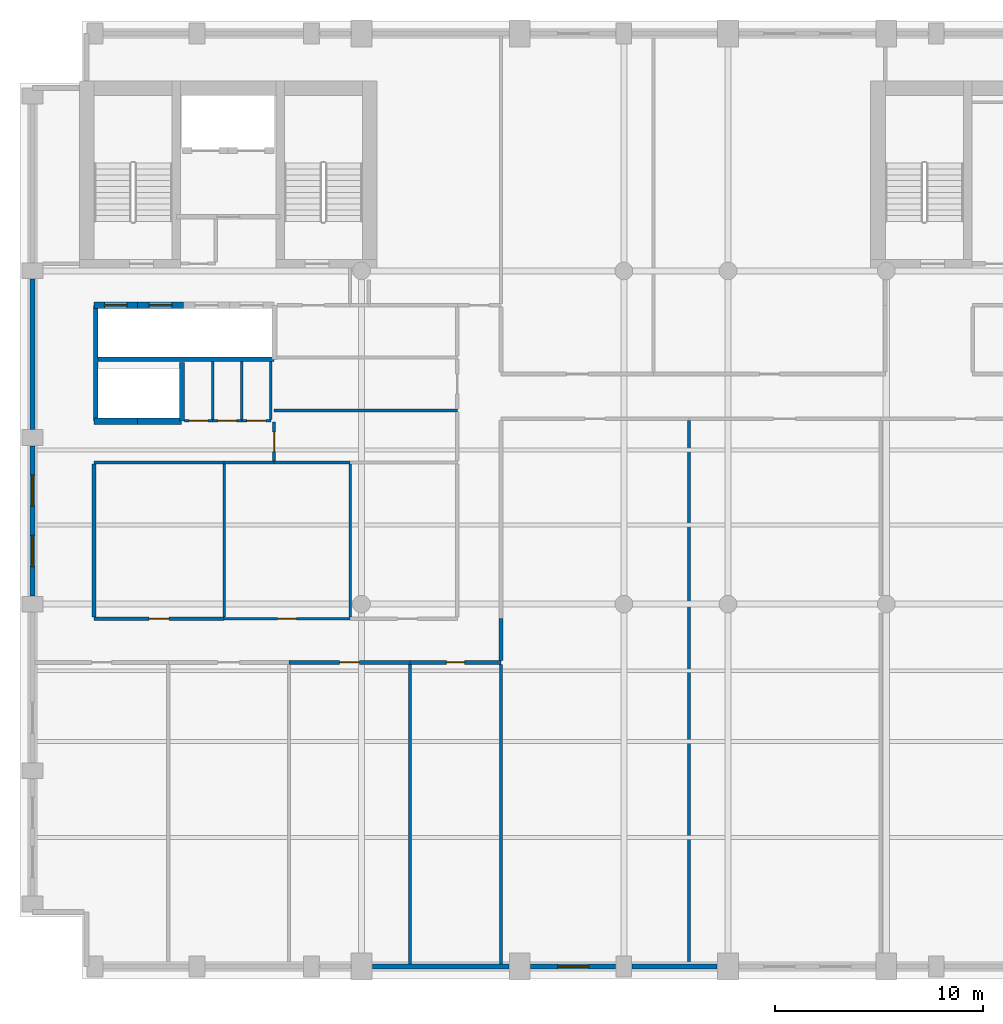
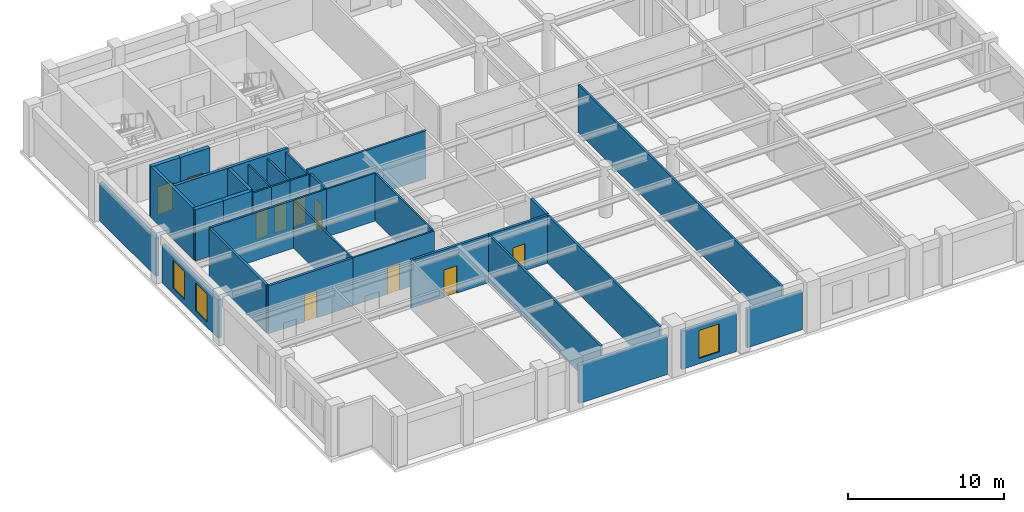
# One storey, part 3 of 8: 34 walls, 10 doors, 3 windows, 13 openings.
"""IFC4 building model written with IfcOpenShell, lengths in metres."""

from ifc_helpers import new_model, si_unit, direction, frame, frame_2d, origin, place, context, subcontext, project, spatial, rectangle, extrude, material, layer, layer_set, type_object, element, fill, save


model = new_model("IFC4")

# Units and contexts
model_context = context("Model", 3, precision=1e-05, world=origin(), true_north=direction((0.0, 1.0)))
body_context = subcontext(model_context, "Body", "Model", "MODEL_VIEW")
ifc_project = project(units=[si_unit("LENGTHUNIT", "METRE"), si_unit("AREAUNIT", "SQUARE_METRE"), si_unit("VOLUMEUNIT", "CUBIC_METRE"), si_unit("PLANEANGLEUNIT", "RADIAN"), si_unit("MASSUNIT", "GRAM", prefix="KILO")], contexts=[model_context])

# Site, building, storey
site_placement = place(None, origin())
site = spatial("IfcSite", under=ifc_project, at=site_placement, CompositionType="ELEMENT")
building_placement = place(site_placement, origin())
building = spatial("IfcBuilding", under=site, at=building_placement, Name="Sulina Concourse Tower", CompositionType="ELEMENT")
storey_placement = place(building_placement, frame((0.0, 0.0, 252.60009765625)))
storey = spatial("IfcBuildingStorey", under=building, at=storey_placement, Name="L61", CompositionType="ELEMENT", Elevation=252.60009765625)

# Walls
ifc_material_1 = material(Name="Concrete C50/60", Category="concrete")
ifc_layer_1 = layer(ifc_material_1, 0.219970703125)
ifc_layer_set_1 = layer_set([ifc_layer_1], Name="Concrete C50/60")
wall_type_1 = type_object("IfcWallType", Name="Core Lift Hoistway Divider Wall 220mm", PredefinedType="SOLIDWALL", material=ifc_layer_set_1)
wall_1_placement = place(storey_placement, frame((3.550048828125, 29.75, 0.0), z_axis=(0.0, 0.0, 1.0), x_axis=(1.0, 0.0, 0.0)))
element("IfcWall", 1, at=wall_1_placement, inside=storey, type_object=wall_type_1, Name="L61 shaft divider wall HW-LP3-S", PredefinedType="SOLIDWALL", context=body_context, shape_type="SweptSolid", body=[
    extrude(rectangle(XDim=8.64990234375, YDim=0.219970703125, at=frame_2d((4.324951171875, 0.0))), origin(), (0.0, 0.0, 1.0), 4.0),
])
wall_2_placement = place(storey_placement, frame((3.6298828125, 26.800048828125, 0.0), z_axis=(0.0, 0.0, 1.0), x_axis=(0.0, 1.0, 0.0)))
element("IfcWall", 2, at=wall_2_placement, inside=storey, type_object=wall_type_1, Name="L61 shaft divider wall HW-LP3-W", PredefinedType="SOLIDWALL", context=body_context, shape_type="SweptSolid", body=[
    extrude(rectangle(XDim=5.550048828125, YDim=0.219970703125, at=frame_2d((2.77490234375, 0.0))), origin(), (0.0, 0.0, 1.0), 4.0),
])
wall_3_placement = place(storey_placement, frame((7.780029296875, 26.800048828125, 0.0), z_axis=(0.0, 0.0, 1.0), x_axis=(0.0, 1.0, 0.0)))
element("IfcWall", 3, at=wall_3_placement, inside=storey, type_object=wall_type_1, Name="L61 shaft divider wall HW-EXP-E", PredefinedType="SOLIDWALL", context=body_context, shape_type="SweptSolid", body=[
    extrude(rectangle(XDim=2.800048828125, YDim=0.219970703125, at=frame_2d((1.39990234375, 0.0))), origin(), (0.0, 0.0, 1.0), 4.0),
])

# Wall, opening, door
ifc_material_2 = material(Name="Concrete C50/60", Category="concrete")
ifc_layer_2 = layer(ifc_material_2, 0.300048828125)
ifc_layer_set_2 = layer_set([ifc_layer_2], Name="Concrete C50/60")
wall_type_2 = type_object("IfcWallType", Name="Core Lift Hoistway Wall 300mm", PredefinedType="SOLIDWALL", material=ifc_layer_set_2)
wall_4_placement = place(storey_placement, frame((3.550048828125, 32.35009765625, 0.0), z_axis=(0.0, 0.0, 1.0), x_axis=(1.0, 0.0, 0.0)))
wall_4 = element("IfcWall", 4, at=wall_4_placement, inside=storey, type_object=wall_type_2, Name="L61 hoistway enclosure wall LP-09", PredefinedType="SOLIDWALL", context=body_context, shape_type="SweptSolid", body=[
    extrude(rectangle(XDim=2.099853515625, YDim=0.300048828125, at=frame_2d((1.0498046875, 0.0))), origin(), (0.0, 0.0, 1.0), 4.0),
])
opening_1_placement = place(wall_4_placement, frame((0.5, 0.0, 0.0)))
opening_1 = element("IfcOpeningElement", 5, at=opening_1_placement, cuts=wall_4, Name="Opening LD-01", PredefinedType="OPENING", context=body_context, shape_type="SweptSolid", body=[
    extrude(rectangle(XDim=1.10009765625, YDim=2.199951171875, at=frame_2d((0.550048828125, 1.10009765625))), frame((0.0, 0.159912109375, 0.0), z_axis=(0.0, -1.0, 0.0), x_axis=(1.0, 0.0, 0.0)), (0.0, 0.0, 1.0), 0.320068359375),
])
ifc_material_3 = material(Name="Stainless steel lift landing door", Category="steel")
ifc_layer_3 = layer(ifc_material_3, 0.050048828125)
ifc_layer_set_3 = layer_set([ifc_layer_3], Name="Stainless steel lift landing door")
door_type_1 = type_object("IfcDoorType", Name="Passenger Lift Sliding Landing Door 1100x2200", OperationType="SLIDING_TO_LEFT", PredefinedType="DOOR", material=ifc_layer_set_3)
door_1_placement = place(opening_1_placement, origin())
door_1 = element("IfcDoor", 6, at=door_1_placement, inside=storey, type_object=door_type_1, Name="L61 lift landing sliding door LP-09", OperationType="SLIDING_TO_LEFT", OverallHeight=2.199951171875, OverallWidth=1.10009765625, PredefinedType="DOOR", context=body_context, shape_type="SweptSolid", body=[
    extrude(rectangle(XDim=1.10009765625, YDim=2.199951171875, at=frame_2d((0.550048828125, 1.10009765625))), frame((0.0, 0.02490234375, 0.0), z_axis=(0.0, -1.0, 0.0), x_axis=(1.0, 0.0, 0.0)), (0.0, 0.0, 1.0), 0.050048828125),
])
fill(opening_1, door_1)

wall_5_placement = place(storey_placement, frame((5.64990234375, 32.35009765625, 0.0), z_axis=(0.0, 0.0, 1.0), x_axis=(1.0, 0.0, 0.0)))
wall_5 = element("IfcWall", 7, at=wall_5_placement, inside=storey, type_object=wall_type_2, Name="L61 hoistway enclosure wall LP-10", PredefinedType="SOLIDWALL", context=body_context, shape_type="SweptSolid", body=[
    extrude(rectangle(XDim=2.2001953125, YDim=0.300048828125, at=frame_2d((1.10009765625, 0.0))), origin(), (0.0, 0.0, 1.0), 4.0),
])
opening_2_placement = place(wall_5_placement, frame((0.550048828125, 0.0, 0.0)))
opening_2 = element("IfcOpeningElement", 8, at=opening_2_placement, cuts=wall_5, Name="Opening LD-01", PredefinedType="OPENING", context=body_context, shape_type="SweptSolid", body=[
    extrude(rectangle(XDim=1.10009765625, YDim=2.199951171875, at=frame_2d((0.550048828125, 1.10009765625))), frame((0.0, 0.159912109375, 0.0), z_axis=(0.0, -1.0, 0.0), x_axis=(1.0, 0.0, 0.0)), (0.0, 0.0, 1.0), 0.320068359375),
])
door_2_placement = place(opening_2_placement, origin())
door_2 = element("IfcDoor", 9, at=door_2_placement, inside=storey, type_object=door_type_1, Name="L61 lift landing sliding door LP-10", OperationType="SLIDING_TO_RIGHT", OverallHeight=2.199951171875, OverallWidth=1.10009765625, PredefinedType="DOOR", context=body_context, shape_type="SweptSolid", body=[
    extrude(rectangle(XDim=1.10009765625, YDim=2.199951171875, at=frame_2d((0.550048828125, 1.10009765625))), frame((0.0, 0.02490234375, 0.0), z_axis=(0.0, -1.0, 0.0), x_axis=(1.0, 0.0, 0.0)), (0.0, 0.0, 1.0), 0.050048828125),
])
fill(opening_2, door_2)

# Walls
wall_6_placement = place(storey_placement, frame((5.64990234375, 26.780029296875, 0.0), z_axis=(0.0, 0.0, 1.0), x_axis=(-1.0, 0.0, 0.0)))
element("IfcWall", 10, at=wall_6_placement, inside=storey, type_object=wall_type_2, Name="L61 hoistway enclosure wall EXP-1", PredefinedType="SOLIDWALL", context=body_context, shape_type="SweptSolid", body=[
    extrude(rectangle(XDim=2.099853515625, YDim=0.300048828125, at=frame_2d((1.0498046875, 0.0))), origin(), (0.0, 0.0, 1.0), 4.0),
])
wall_7_placement = place(storey_placement, frame((7.75, 26.780029296875, 0.0), z_axis=(0.0, 0.0, 1.0), x_axis=(-1.0, 0.0, 0.0)))
element("IfcWall", 11, at=wall_7_placement, inside=storey, type_object=wall_type_2, Name="L61 hoistway enclosure wall EXP-2", PredefinedType="SOLIDWALL", context=body_context, shape_type="SweptSolid", body=[
    extrude(rectangle(XDim=2.10009765625, YDim=0.300048828125, at=frame_2d((1.050048828125, 0.0))), origin(), (0.0, 0.0, 1.0), 4.0),
])
ifc_material_4 = material(Name="Precast concrete C50/60", Category="concrete")
ifc_layer_4 = layer(ifc_material_4, 0.239990234375)
ifc_layer_set_4 = layer_set([ifc_layer_4], Name="Precast concrete C50/60")
wall_type_3 = type_object("IfcWallType", Name="Crown Precast Masonry-Frame Facade Wall 240mm", PredefinedType="SOLIDWALL", material=ifc_layer_set_4)
wall_8_placement = place(storey_placement, frame((23.47998046875, 0.60009765625, 0.0), z_axis=(0.0, 0.0, 1.0), x_axis=(-1.0, 0.0, 0.0)))
element("IfcWall", 12, at=wall_8_placement, inside=storey, type_object=wall_type_3, Name="L61 exterior precast wall S4", PredefinedType="SOLIDWALL", context=body_context, shape_type="SweptSolid", body=[
    extrude(rectangle(XDim=6.56005859375, YDim=0.239990234375, at=frame_2d((3.280029296875, 0.0))), origin(), (0.0, 0.0, 1.0), 3.0),
])

# Wall, opening, window
wall_9_placement = place(storey_placement, frame((28.60498046875, 0.60009765625, 0.0), z_axis=(0.0, 0.0, 1.0), x_axis=(-1.0, 0.0, 0.0)))
wall_9 = element("IfcWall", 13, at=wall_9_placement, inside=storey, type_object=wall_type_3, Name="L61 exterior precast wall S5", PredefinedType="SOLIDWALL", context=body_context, shape_type="SweptSolid", body=[
    extrude(rectangle(XDim=4.0849609375, YDim=0.239990234375, at=frame_2d((2.04248046875, 0.0))), origin(), (0.0, 0.0, 1.0), 3.0),
])
opening_3_placement = place(wall_9_placement, frame((1.29248046875, 0.0, 0.419921875)))
opening_3 = element("IfcOpeningElement", 14, at=opening_3_placement, cuts=wall_9, Name="Opening WN-71", PredefinedType="OPENING", context=body_context, shape_type="SweptSolid", body=[
    extrude(rectangle(XDim=1.5, YDim=2.199951171875, at=frame_2d((0.75, 1.10009765625))), frame((0.0, 0.1298828125, 0.0), z_axis=(0.0, -1.0, 0.0), x_axis=(1.0, 0.0, 0.0)), (0.0, 0.0, 1.0), 0.260009765625),
])
ifc_material_5 = material(Name="Low-E solar double glazing in bronze aluminium", Category="aluminium")
window_type = type_object("IfcWindowType", Name="Punched Masonry-Frame Window 1500x2200", PartitioningType="SINGLE_PANEL", PredefinedType="WINDOW", material=ifc_material_5)
window_1_placement = place(opening_3_placement, origin())
window_1 = element("IfcWindow", 15, at=window_1_placement, inside=storey, type_object=window_type, Name="L61 punched window S5-1", OverallHeight=2.199951171875, OverallWidth=1.5, PartitioningType="SINGLE_PANEL", PredefinedType="WINDOW", context=body_context, shape_type="SweptSolid", body=[
    extrude(rectangle(XDim=1.5, YDim=2.199951171875, at=frame_2d((0.75, 1.10009765625))), frame((0.0, 0.030029296875, 0.0), z_axis=(0.0, -1.0, 0.0), x_axis=(1.0, 0.0, 0.0)), (0.0, 0.0, 1.0), 0.06005859375),
])
fill(opening_3, window_1)

# Wall
wall_10_placement = place(storey_placement, frame((33.47998046875, 0.60009765625, 0.0), z_axis=(0.0, 0.0, 1.0), x_axis=(-1.0, 0.0, 0.0)))
element("IfcWall", 16, at=wall_10_placement, inside=storey, type_object=wall_type_3, Name="L61 exterior precast wall S6", PredefinedType="SOLIDWALL", context=body_context, shape_type="SweptSolid", body=[
    extrude(rectangle(XDim=4.0849609375, YDim=0.239990234375, at=frame_2d((2.04248046875, 0.0))), origin(), (0.0, 0.0, 1.0), 3.0),
])

# Wall, openings, windows
wall_11_placement = place(storey_placement, frame((0.60009765625, 18.39501953125, 0.0), z_axis=(0.0, 0.0, 1.0), x_axis=(0.0, 1.0, 0.0)))
wall_11 = element("IfcWall", 17, at=wall_11_placement, inside=storey, type_object=wall_type_3, Name="L61 exterior precast wall W3", PredefinedType="SOLIDWALL", context=body_context, shape_type="SweptSolid", body=[
    extrude(rectangle(XDim=7.2099609375, YDim=0.239990234375, at=frame_2d((3.60498046875, 0.0))), origin(), (0.0, 0.0, 1.0), 3.0),
])
opening_4_placement = place(wall_11_placement, frame((1.4033203125, 0.0, 0.419921875)))
opening_4 = element("IfcOpeningElement", 18, at=opening_4_placement, cuts=wall_11, Name="Opening WN-71", PredefinedType="OPENING", context=body_context, shape_type="SweptSolid", body=[
    extrude(rectangle(XDim=1.5, YDim=2.199951171875, at=frame_2d((0.75, 1.10009765625))), frame((0.0, 0.1298828125, 0.0), z_axis=(0.0, -1.0, 0.0), x_axis=(1.0, 0.0, 0.0)), (0.0, 0.0, 1.0), 0.260009765625),
])
opening_5_placement = place(wall_11_placement, frame((4.306640625, 0.0, 0.419921875)))
opening_5 = element("IfcOpeningElement", 19, at=opening_5_placement, cuts=wall_11, Name="Opening WN-71", PredefinedType="OPENING", context=body_context, shape_type="SweptSolid", body=[
    extrude(rectangle(XDim=1.5, YDim=2.199951171875, at=frame_2d((0.75, 1.10009765625))), frame((0.0, 0.1298828125, 0.0), z_axis=(0.0, -1.0, 0.0), x_axis=(1.0, 0.0, 0.0)), (0.0, 0.0, 1.0), 0.260009765625),
])
window_2_placement = place(opening_4_placement, origin())
window_2 = element("IfcWindow", 20, at=window_2_placement, inside=storey, type_object=window_type, Name="L61 punched window W3-1", OverallHeight=2.199951171875, OverallWidth=1.5, PartitioningType="SINGLE_PANEL", PredefinedType="WINDOW", context=body_context, shape_type="SweptSolid", body=[
    extrude(rectangle(XDim=1.5, YDim=2.199951171875, at=frame_2d((0.75, 1.10009765625))), frame((0.0, 0.030029296875, 0.0), z_axis=(0.0, -1.0, 0.0), x_axis=(1.0, 0.0, 0.0)), (0.0, 0.0, 1.0), 0.06005859375),
])
fill(opening_4, window_2)
window_3_placement = place(opening_5_placement, origin())
window_3 = element("IfcWindow", 21, at=window_3_placement, inside=storey, type_object=window_type, Name="L61 punched window W3-2", OverallHeight=2.199951171875, OverallWidth=1.5, PartitioningType="SINGLE_PANEL", PredefinedType="WINDOW", context=body_context, shape_type="SweptSolid", body=[
    extrude(rectangle(XDim=1.5, YDim=2.199951171875, at=frame_2d((0.75, 1.10009765625))), frame((0.0, 0.030029296875, 0.0), z_axis=(0.0, -1.0, 0.0), x_axis=(1.0, 0.0, 0.0)), (0.0, 0.0, 1.0), 0.06005859375),
])
fill(opening_5, window_3)

# Walls
wall_12_placement = place(storey_placement, frame((0.60009765625, 26.39501953125, 0.0), z_axis=(0.0, 0.0, 1.0), x_axis=(0.0, 1.0, 0.0)))
element("IfcWall", 22, at=wall_12_placement, inside=storey, type_object=wall_type_3, Name="L61 exterior precast wall W4", PredefinedType="SOLIDWALL", context=body_context, shape_type="SweptSolid", body=[
    extrude(rectangle(XDim=7.2099609375, YDim=0.239990234375, at=frame_2d((3.60498046875, 0.0))), origin(), (0.0, 0.0, 1.0), 3.0),
])
ifc_material_6 = material(Name="Gypsum board on steel stud", Category="steel")
ifc_layer_5 = layer(ifc_material_6, 0.14990234375)
ifc_layer_set_5 = layer_set([ifc_layer_5], Name="Gypsum board on steel stud")
wall_type_4 = type_object("IfcWallType", Name="Inter-Tenancy Acoustic Partition 150mm", PredefinedType="PARTITIONING", material=ifc_layer_set_5)
wall_13_placement = place(storey_placement, frame((3.550048828125, 24.800048828125, 0.0), z_axis=(0.0, 0.0, 1.0), x_axis=(1.0, 0.0, 0.0)))
element("IfcWall", 23, at=wall_13_placement, inside=storey, type_object=wall_type_4, Name="L61 interior partition 008", PredefinedType="PARTITIONING", context=body_context, shape_type="SweptSolid", body=[
    extrude(rectangle(XDim=6.25, YDim=0.14990234375, at=frame_2d((3.125, 0.0))), origin(), (0.0, 0.0, 1.0), 3.75),
])
wall_14_placement = place(storey_placement, frame((12.199951171875, 27.300048828125, 0.0), z_axis=(0.0, 0.0, 1.0), x_axis=(1.0, 0.0, 0.0)))
element("IfcWall", 24, at=wall_14_placement, inside=storey, type_object=wall_type_4, Name="L61 interior partition 019", PredefinedType="PARTITIONING", context=body_context, shape_type="SweptSolid", body=[
    extrude(rectangle(XDim=8.800048828125, YDim=0.14990234375, at=frame_2d((4.39990234375, 0.0))), origin(), (0.0, 0.0, 1.0), 3.75),
])

# Wall, opening, door
wall_15_placement = place(storey_placement, frame((12.199951171875, 24.862548828125, 0.0), z_axis=(0.0, 0.0, 1.0), x_axis=(0.0, 1.0, 0.0)))
wall_15 = element("IfcWall", 25, at=wall_15_placement, inside=storey, type_object=wall_type_4, Name="L61 interior partition 041", PredefinedType="PARTITIONING", context=body_context, shape_type="SweptSolid", body=[
    extrude(rectangle(XDim=1.875, YDim=0.14990234375, at=frame_2d((0.9375, 0.0))), origin(), (0.0, 0.0, 1.0), 3.75),
])
opening_6_placement = place(wall_15_placement, frame((0.46240234375, 0.0, 0.0)))
opening_6 = element("IfcOpeningElement", 26, at=opening_6_placement, cuts=wall_15, Name="Opening DR-19", PredefinedType="OPENING", context=body_context, shape_type="SweptSolid", body=[
    extrude(rectangle(XDim=0.949951171875, YDim=2.14990234375, at=frame_2d((0.47509765625, 1.074951171875))), frame((0.0, 0.0849609375, 0.0), z_axis=(0.0, -1.0, 0.0), x_axis=(1.0, 0.0, 0.0)), (0.0, 0.0, 1.0), 0.169921875),
])
ifc_material_7 = material(Name="Oak-veneered acoustic timber leaf", Category="wood")
ifc_layer_6 = layer(ifc_material_7, 0.050048828125)
ifc_layer_set_6 = layer_set([ifc_layer_6], Name="Oak-veneered acoustic timber leaf")
door_type_2 = type_object("IfcDoorType", Name="Cellular Office & Meeting Door 950x2150", OperationType="NOTDEFINED", PredefinedType="DOOR", material=ifc_layer_set_6)
door_3_placement = place(opening_6_placement, origin())
door_3 = element("IfcDoor", 27, at=door_3_placement, inside=storey, type_object=door_type_2, Name="L61 interior door L61-MR-MRG1", OperationType="SINGLE_SWING_LEFT", OverallHeight=2.14990234375, OverallWidth=0.949951171875, PredefinedType="DOOR", context=body_context, shape_type="SweptSolid", body=[
    extrude(rectangle(XDim=0.949951171875, YDim=2.14990234375, at=frame_2d((0.47509765625, 1.074951171875))), frame((0.0, 0.02490234375, 0.0), z_axis=(0.0, -1.0, 0.0), x_axis=(1.0, 0.0, 0.0)), (0.0, 0.0, 1.0), 0.050048828125),
])
fill(opening_6, door_3)

# Walls
for number, where, z_axis, x_axis, name in (
    (28, (18.719970703125, 0.719970703125, 0.0), (0.0, 0.0, 1.0), (0.0, 1.0, 0.0), "L61 interior partition 046"),
    (29, (23.10009765625, 0.719970703125, 0.0), (0.0, 0.0, 1.0), (0.0, 1.0, 0.0), "L61 interior partition 051"),
):
    element("IfcWall", number, at=place(storey_placement, frame(where, z_axis=z_axis, x_axis=x_axis)), inside=storey, type_object=wall_type_4, Name=name, PredefinedType="PARTITIONING", context=body_context, shape_type="SweptSolid", body=[
        extrude(rectangle(XDim=14.39013671875, YDim=0.14990234375, at=frame_2d((7.195068359375, 0.0))), origin(), (0.0, 0.0, 1.0), 3.75),
    ])
wall_16_placement = place(storey_placement, frame((32.1201171875, 0.719970703125, 0.0), z_axis=(0.0, 0.0, 1.0), x_axis=(0.0, 1.0, 0.0)))
element("IfcWall", 30, at=wall_16_placement, inside=storey, type_object=wall_type_4, Name="L61 interior partition 057", PredefinedType="PARTITIONING", context=body_context, shape_type="SweptSolid", body=[
    extrude(rectangle(XDim=26.090087890625, YDim=0.14990234375, at=frame_2d((13.044921875, 0.0))), origin(), (0.0, 0.0, 1.0), 3.75),
])

# Wall, opening, door
ifc_material_8 = material(Name="Gypsum board on steel stud", Category="steel")
ifc_layer_7 = layer(ifc_material_8, 0.179931640625)
ifc_layer_set_7 = layer_set([ifc_layer_7], Name="Gypsum board on steel stud")
wall_type_5 = type_object("IfcWallType", Name="Protected Corridor & Riser Partition 180mm", PredefinedType="PARTITIONING", material=ifc_layer_set_7)
wall_17_placement = place(storey_placement, frame((12.919921875, 15.199951171875, 0.0), z_axis=(0.0, 0.0, 1.0), x_axis=(1.0, 0.0, 0.0)))
wall_17 = element("IfcWall", 31, at=wall_17_placement, inside=storey, type_object=wall_type_5, Name="L61 interior partition 003", PredefinedType="PARTITIONING", context=body_context, shape_type="SweptSolid", body=[
    extrude(rectangle(XDim=5.800048828125, YDim=0.179931640625, at=frame_2d((2.89990234375, 0.0))), origin(), (0.0, 0.0, 1.0), 3.75),
])
opening_7_placement = place(wall_17_placement, frame((2.425048828125, 0.0, 0.0)))
opening_7 = element("IfcOpeningElement", 32, at=opening_7_placement, cuts=wall_17, Name="Opening DR-19", PredefinedType="OPENING", context=body_context, shape_type="SweptSolid", body=[
    extrude(rectangle(XDim=0.949951171875, YDim=2.14990234375, at=frame_2d((0.47509765625, 1.074951171875))), frame((0.0, 0.099853515625, 0.0), z_axis=(0.0, -1.0, 0.0), x_axis=(1.0, 0.0, 0.0)), (0.0, 0.0, 1.0), 0.199951171875),
])
door_4_placement = place(opening_7_placement, origin())
door_4 = element("IfcDoor", 33, at=door_4_placement, inside=storey, type_object=door_type_2, Name="L61 interior door L61-S03", OperationType="SINGLE_SWING_LEFT", OverallHeight=2.14990234375, OverallWidth=0.949951171875, PredefinedType="DOOR", context=body_context, shape_type="SweptSolid", body=[
    extrude(rectangle(XDim=0.949951171875, YDim=2.14990234375, at=frame_2d((0.47509765625, 1.074951171875))), frame((0.0, 0.02490234375, 0.0), z_axis=(0.0, -1.0, 0.0), x_axis=(1.0, 0.0, 0.0)), (0.0, 0.0, 1.0), 0.050048828125),
])
fill(opening_7, door_4)

wall_18_placement = place(storey_placement, frame((18.719970703125, 15.199951171875, 0.0), z_axis=(0.0, 0.0, 1.0), x_axis=(1.0, 0.0, 0.0)))
wall_18 = element("IfcWall", 34, at=wall_18_placement, inside=storey, type_object=wall_type_5, Name="L61 interior partition 004", PredefinedType="PARTITIONING", context=body_context, shape_type="SweptSolid", body=[
    extrude(rectangle(XDim=4.380126953125, YDim=0.179931640625, at=frame_2d((2.18994140625, 0.0))), origin(), (0.0, 0.0, 1.0), 3.75),
])
opening_8_placement = place(wall_18_placement, frame((1.75, 0.0, 0.0)))
opening_8 = element("IfcOpeningElement", 35, at=opening_8_placement, cuts=wall_18, Name="Opening DR-38", PredefinedType="OPENING", context=body_context, shape_type="SweptSolid", body=[
    extrude(rectangle(XDim=0.8798828125, YDim=2.10009765625, at=frame_2d((0.43994140625, 1.050048828125))), frame((0.0, 0.099853515625, 0.0), z_axis=(0.0, -1.0, 0.0), x_axis=(1.0, 0.0, 0.0)), (0.0, 0.0, 1.0), 0.199951171875),
])
ifc_material_9 = material(Name="Galvanised steel acoustic fire leaf", Category="steel")
ifc_layer_8 = layer(ifc_material_9, 0.050048828125)
ifc_layer_set_8 = layer_set([ifc_layer_8], Name="Galvanised steel acoustic fire leaf")
door_type_3 = type_object("IfcDoorType", Name="Service Riser Fire Door 880x2100", OperationType="NOTDEFINED", PredefinedType="DOOR", material=ifc_layer_set_8)
door_5_placement = place(opening_8_placement, origin())
door_5 = element("IfcDoor", 36, at=door_5_placement, inside=storey, type_object=door_type_3, Name="L61 interior door L61-S04", OperationType="SINGLE_SWING_RIGHT", OverallHeight=2.10009765625, OverallWidth=0.8798828125, PredefinedType="DOOR", context=body_context, shape_type="SweptSolid", body=[
    extrude(rectangle(XDim=0.8798828125, YDim=2.10009765625, at=frame_2d((0.43994140625, 1.050048828125))), frame((0.0, 0.02490234375, 0.0), z_axis=(0.0, -1.0, 0.0), x_axis=(1.0, 0.0, 0.0)), (0.0, 0.0, 1.0), 0.050048828125),
])
fill(opening_8, door_5)

wall_19_placement = place(storey_placement, frame((3.550048828125, 17.300048828125, 0.0), z_axis=(0.0, 0.0, 1.0), x_axis=(1.0, 0.0, 0.0)))
wall_19 = element("IfcWall", 37, at=wall_19_placement, inside=storey, type_object=wall_type_5, Name="L61 interior partition 005", PredefinedType="PARTITIONING", context=body_context, shape_type="SweptSolid", body=[
    extrude(rectangle(XDim=6.25, YDim=0.179931640625, at=frame_2d((3.125, 0.0))), origin(), (0.0, 0.0, 1.0), 3.75),
])
opening_9_placement = place(wall_19_placement, frame((2.64990234375, 0.0, 0.0)))
opening_9 = element("IfcOpeningElement", 38, at=opening_9_placement, cuts=wall_19, Name="Opening DR-19", PredefinedType="OPENING", context=body_context, shape_type="SweptSolid", body=[
    extrude(rectangle(XDim=0.949951171875, YDim=2.14990234375, at=frame_2d((0.47509765625, 1.074951171875))), frame((0.0, 0.099853515625, 0.0), z_axis=(0.0, -1.0, 0.0), x_axis=(1.0, 0.0, 0.0)), (0.0, 0.0, 1.0), 0.199951171875),
])
door_6_placement = place(opening_9_placement, origin())
door_6 = element("IfcDoor", 39, at=door_6_placement, inside=storey, type_object=door_type_2, Name="L61 interior door L61-LR-MRG1", OperationType="SINGLE_SWING_LEFT", OverallHeight=2.14990234375, OverallWidth=0.949951171875, PredefinedType="DOOR", context=body_context, shape_type="SweptSolid", body=[
    extrude(rectangle(XDim=0.949951171875, YDim=2.14990234375, at=frame_2d((0.47509765625, 1.074951171875))), frame((0.0, 0.02490234375, 0.0), z_axis=(0.0, -1.0, 0.0), x_axis=(1.0, 0.0, 0.0)), (0.0, 0.0, 1.0), 0.050048828125),
])
fill(opening_9, door_6)

# Walls
wall_20_placement = place(storey_placement, frame((3.550048828125, 17.389892578125, 0.0), z_axis=(0.0, 0.0, 1.0), x_axis=(0.0, 1.0, 0.0)))
element("IfcWall", 40, at=wall_20_placement, inside=storey, type_object=wall_type_5, Name="L61 interior partition 034", PredefinedType="PARTITIONING", context=body_context, shape_type="SweptSolid", body=[
    extrude(rectangle(XDim=7.335205078125, YDim=0.179931640625, at=frame_2d((3.66748046875, 0.0))), origin(), (0.0, 0.0, 1.0), 3.75),
])
wall_21_placement = place(storey_placement, frame((23.10009765625, 15.2900390625, 0.0), z_axis=(0.0, 0.0, 1.0), x_axis=(0.0, 1.0, 0.0)))
element("IfcWall", 41, at=wall_21_placement, inside=storey, type_object=wall_type_5, Name="L61 interior partition 052", PredefinedType="PARTITIONING", context=body_context, shape_type="SweptSolid", body=[
    extrude(rectangle(XDim=2.010009765625, YDim=0.179931640625, at=frame_2d((1.0048828125, 0.0))), origin(), (0.0, 0.0, 1.0), 3.75),
])

# Wall, opening, door
ifc_material_10 = material(Name="Gypsum board on steel stud", Category="steel")
ifc_layer_9 = layer(ifc_material_10, 0.125)
ifc_layer_set_9 = layer_set([ifc_layer_9], Name="Gypsum board on steel stud")
wall_type_6 = type_object("IfcWallType", Name="Wet-Area Moisture-Resistant Partition 125mm", PredefinedType="PARTITIONING", material=ifc_layer_set_9)
wall_22_placement = place(storey_placement, frame((9.800048828125, 17.300048828125, 0.0), z_axis=(0.0, 0.0, 1.0), x_axis=(1.0, 0.0, 0.0)))
wall_22 = element("IfcWall", 42, at=wall_22_placement, inside=storey, type_object=wall_type_6, Name="L61 interior partition 006", PredefinedType="PARTITIONING", context=body_context, shape_type="SweptSolid", body=[
    extrude(rectangle(XDim=6.050048828125, YDim=0.125, at=frame_2d((3.02490234375, 0.0))), origin(), (0.0, 0.0, 1.0), 3.75),
])
opening_10_placement = place(wall_22_placement, frame((2.574951171875, 0.0, 0.0)))
opening_10 = element("IfcOpeningElement", 43, at=opening_10_placement, cuts=wall_22, Name="Opening DR-21", PredefinedType="OPENING", context=body_context, shape_type="SweptSolid", body=[
    extrude(rectangle(XDim=0.89990234375, YDim=2.10009765625, at=frame_2d((0.449951171875, 1.050048828125))), frame((0.0, 0.072509765625, 0.0), z_axis=(0.0, -1.0, 0.0), x_axis=(1.0, 0.0, 0.0)), (0.0, 0.0, 1.0), 0.14501953125),
])
ifc_material_11 = material(Name="Oak-veneered fire door leaf")
ifc_layer_10 = layer(ifc_material_11, 0.050048828125)
ifc_layer_set_10 = layer_set([ifc_layer_10], Name="Oak-veneered fire door leaf")
door_type_4 = type_object("IfcDoorType", Name="Restroom & Service Door 900x2100", OperationType="NOTDEFINED", PredefinedType="DOOR", material=ifc_layer_set_10)
door_7_placement = place(opening_10_placement, origin())
door_7 = element("IfcDoor", 44, at=door_7_placement, inside=storey, type_object=door_type_4, Name="L61 interior door L61-LR-MRG2", OperationType="SINGLE_SWING_RIGHT", OverallHeight=2.10009765625, OverallWidth=0.89990234375, PredefinedType="DOOR", context=body_context, shape_type="SweptSolid", body=[
    extrude(rectangle(XDim=0.89990234375, YDim=2.10009765625, at=frame_2d((0.449951171875, 1.050048828125))), frame((0.0, 0.02490234375, 0.0), z_axis=(0.0, -1.0, 0.0), x_axis=(1.0, 0.0, 0.0)), (0.0, 0.0, 1.0), 0.050048828125),
])
fill(opening_10, door_7)

# Walls
wall_23_placement = place(storey_placement, frame((9.800048828125, 24.800048828125, 0.0), z_axis=(0.0, 0.0, 1.0), x_axis=(1.0, 0.0, 0.0)))
element("IfcWall", 45, at=wall_23_placement, inside=storey, type_object=wall_type_6, Name="L61 interior partition 009", PredefinedType="PARTITIONING", context=body_context, shape_type="SweptSolid", body=[
    extrude(rectangle(XDim=2.39990234375, YDim=0.125, at=frame_2d((1.199951171875, 0.0))), origin(), (0.0, 0.0, 1.0), 3.75),
])
wall_24_placement = place(storey_placement, frame((12.199951171875, 24.800048828125, 0.0), z_axis=(0.0, 0.0, 1.0), x_axis=(1.0, 0.0, 0.0)))
element("IfcWall", 46, at=wall_24_placement, inside=storey, type_object=wall_type_6, Name="L61 interior partition 010", PredefinedType="PARTITIONING", context=body_context, shape_type="SweptSolid", body=[
    extrude(rectangle(XDim=3.650146484375, YDim=0.125, at=frame_2d((1.8251953125, 0.0))), origin(), (0.0, 0.0, 1.0), 3.75),
])

# Wall, opening, door
wall_25_placement = place(storey_placement, frame((7.889892578125, 26.800048828125, 0.0), z_axis=(0.0, 0.0, 1.0), x_axis=(1.0, 0.0, 0.0)))
wall_25 = element("IfcWall", 47, at=wall_25_placement, inside=storey, type_object=wall_type_6, Name="L61 interior partition 012", PredefinedType="PARTITIONING", context=body_context, shape_type="SweptSolid", body=[
    extrude(rectangle(XDim=1.360107421875, YDim=0.125, at=frame_2d((0.68017578125, 0.0))), origin(), (0.0, 0.0, 1.0), 3.75),
])
opening_11_placement = place(wall_25_placement, frame((0.22998046875, 0.0, 0.0)))
opening_11 = element("IfcOpeningElement", 48, at=opening_11_placement, cuts=wall_25, Name="Opening DR-21", PredefinedType="OPENING", context=body_context, shape_type="SweptSolid", body=[
    extrude(rectangle(XDim=0.89990234375, YDim=2.10009765625, at=frame_2d((0.449951171875, 1.050048828125))), frame((0.0, 0.072509765625, 0.0), z_axis=(0.0, -1.0, 0.0), x_axis=(1.0, 0.0, 0.0)), (0.0, 0.0, 1.0), 0.14501953125),
])
door_8_placement = place(opening_11_placement, origin())
door_8 = element("IfcDoor", 49, at=door_8_placement, inside=storey, type_object=door_type_4, Name="L61 interior door L61-WC-M", OperationType="SINGLE_SWING_RIGHT", OverallHeight=2.10009765625, OverallWidth=0.89990234375, PredefinedType="DOOR", context=body_context, shape_type="SweptSolid", body=[
    extrude(rectangle(XDim=0.89990234375, YDim=2.10009765625, at=frame_2d((0.449951171875, 1.050048828125))), frame((0.0, 0.02490234375, 0.0), z_axis=(0.0, -1.0, 0.0), x_axis=(1.0, 0.0, 0.0)), (0.0, 0.0, 1.0), 0.050048828125),
])
fill(opening_11, door_8)

wall_26_placement = place(storey_placement, frame((9.25, 26.800048828125, 0.0), z_axis=(0.0, 0.0, 1.0), x_axis=(1.0, 0.0, 0.0)))
wall_26 = element("IfcWall", 50, at=wall_26_placement, inside=storey, type_object=wall_type_6, Name="L61 interior partition 013", PredefinedType="PARTITIONING", context=body_context, shape_type="SweptSolid", body=[
    extrude(rectangle(XDim=1.39990234375, YDim=0.125, at=frame_2d((0.699951171875, 0.0))), origin(), (0.0, 0.0, 1.0), 3.75),
])
opening_12_placement = place(wall_26_placement, frame((0.25, 0.0, 0.0)))
opening_12 = element("IfcOpeningElement", 51, at=opening_12_placement, cuts=wall_26, Name="Opening DR-21", PredefinedType="OPENING", context=body_context, shape_type="SweptSolid", body=[
    extrude(rectangle(XDim=0.89990234375, YDim=2.10009765625, at=frame_2d((0.449951171875, 1.050048828125))), frame((0.0, 0.072509765625, 0.0), z_axis=(0.0, -1.0, 0.0), x_axis=(1.0, 0.0, 0.0)), (0.0, 0.0, 1.0), 0.14501953125),
])
door_9_placement = place(opening_12_placement, origin())
door_9 = element("IfcDoor", 52, at=door_9_placement, inside=storey, type_object=door_type_4, Name="L61 interior door L61-WC-F", OperationType="SINGLE_SWING_LEFT", OverallHeight=2.10009765625, OverallWidth=0.89990234375, PredefinedType="DOOR", context=body_context, shape_type="SweptSolid", body=[
    extrude(rectangle(XDim=0.89990234375, YDim=2.10009765625, at=frame_2d((0.449951171875, 1.050048828125))), frame((0.0, 0.02490234375, 0.0), z_axis=(0.0, -1.0, 0.0), x_axis=(1.0, 0.0, 0.0)), (0.0, 0.0, 1.0), 0.050048828125),
])
fill(opening_12, door_9)

wall_27_placement = place(storey_placement, frame((10.64990234375, 26.800048828125, 0.0), z_axis=(0.0, 0.0, 1.0), x_axis=(1.0, 0.0, 0.0)))
wall_27 = element("IfcWall", 53, at=wall_27_placement, inside=storey, type_object=wall_type_6, Name="L61 interior partition 014", PredefinedType="PARTITIONING", context=body_context, shape_type="SweptSolid", body=[
    extrude(rectangle(XDim=1.400146484375, YDim=0.125, at=frame_2d((0.7001953125, 0.0))), origin(), (0.0, 0.0, 1.0), 3.75),
])
opening_13_placement = place(wall_27_placement, frame((0.239990234375, 0.0, 0.0)))
opening_13 = element("IfcOpeningElement", 54, at=opening_13_placement, cuts=wall_27, Name="Opening DR-61", PredefinedType="OPENING", context=body_context, shape_type="SweptSolid", body=[
    extrude(rectangle(XDim=0.919921875, YDim=2.10009765625, at=frame_2d((0.4599609375, 1.050048828125))), frame((0.0, 0.072509765625, 0.0), z_axis=(0.0, -1.0, 0.0), x_axis=(1.0, 0.0, 0.0)), (0.0, 0.0, 1.0), 0.14501953125),
])
ifc_material_12 = material(Name="Oak-veneered fire door leaf")
ifc_layer_11 = layer(ifc_material_12, 0.050048828125)
ifc_layer_set_11 = layer_set([ifc_layer_11], Name="Oak-veneered fire door leaf")
door_type_5 = type_object("IfcDoorType", Name="Accessible WC Door 920x2100", OperationType="NOTDEFINED", PredefinedType="DOOR", material=ifc_layer_set_11)
door_10_placement = place(opening_13_placement, origin())
door_10 = element("IfcDoor", 55, at=door_10_placement, inside=storey, type_object=door_type_5, Name="L61 interior door L61-WC-ACC", OperationType="SINGLE_SWING_RIGHT", OverallHeight=2.10009765625, OverallWidth=0.919921875, PredefinedType="DOOR", context=body_context, shape_type="SweptSolid", body=[
    extrude(rectangle(XDim=0.919921875, YDim=2.10009765625, at=frame_2d((0.4599609375, 1.050048828125))), frame((0.0, 0.02490234375, 0.0), z_axis=(0.0, -1.0, 0.0), x_axis=(1.0, 0.0, 0.0)), (0.0, 0.0, 1.0), 0.050048828125),
])
fill(opening_13, door_10)

# Walls
wall_28_placement = place(storey_placement, frame((9.25, 26.862548828125, 0.0), z_axis=(0.0, 0.0, 1.0), x_axis=(0.0, 1.0, 0.0)))
element("IfcWall", 56, at=wall_28_placement, inside=storey, type_object=wall_type_6, Name="L61 interior partition 036", PredefinedType="PARTITIONING", context=body_context, shape_type="SweptSolid", body=[
    extrude(rectangle(XDim=2.77734375, YDim=0.125, at=frame_2d((1.388671875, 0.0))), origin(), (0.0, 0.0, 1.0), 3.75),
])
wall_29_placement = place(storey_placement, frame((9.800048828125, 17.389892578125, 0.0), z_axis=(0.0, 0.0, 1.0), x_axis=(0.0, 1.0, 0.0)))
element("IfcWall", 57, at=wall_29_placement, inside=storey, type_object=wall_type_6, Name="L61 interior partition 038", PredefinedType="PARTITIONING", context=body_context, shape_type="SweptSolid", body=[
    extrude(rectangle(XDim=7.335205078125, YDim=0.125, at=frame_2d((3.66748046875, 0.0))), origin(), (0.0, 0.0, 1.0), 3.75),
])
for number, where, z_axis, x_axis, name in (
    (58, (10.64990234375, 26.862548828125, 0.0), (0.0, 0.0, 1.0), (0.0, 1.0, 0.0), "L61 interior partition 039"),
    (59, (12.050048828125, 26.862548828125, 0.0), (0.0, 0.0, 1.0), (0.0, 1.0, 0.0), "L61 interior partition 040"),
):
    element("IfcWall", number, at=place(storey_placement, frame(where, z_axis=z_axis, x_axis=x_axis)), inside=storey, type_object=wall_type_6, Name=name, PredefinedType="PARTITIONING", context=body_context, shape_type="SweptSolid", body=[
        extrude(rectangle(XDim=2.77734375, YDim=0.125, at=frame_2d((1.388671875, 0.0))), origin(), (0.0, 0.0, 1.0), 3.75),
    ])
wall_30_placement = place(storey_placement, frame((15.85009765625, 17.389892578125, 0.0), z_axis=(0.0, 0.0, 1.0), x_axis=(0.0, 1.0, 0.0)))
element("IfcWall", 60, at=wall_30_placement, inside=storey, type_object=wall_type_6, Name="L61 interior partition 043", PredefinedType="PARTITIONING", context=body_context, shape_type="SweptSolid", body=[
    extrude(rectangle(XDim=7.335205078125, YDim=0.125, at=frame_2d((3.66748046875, 0.0))), origin(), (0.0, 0.0, 1.0), 3.75),
])

save(model, "model.ifc")
